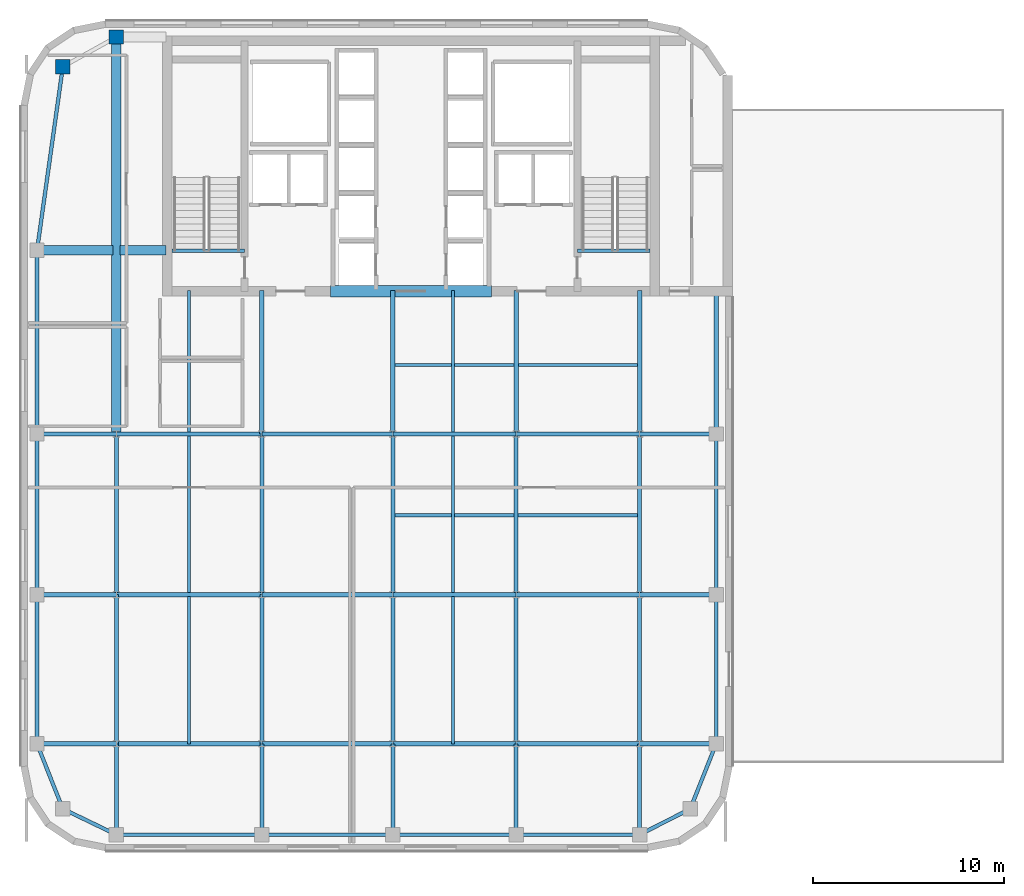
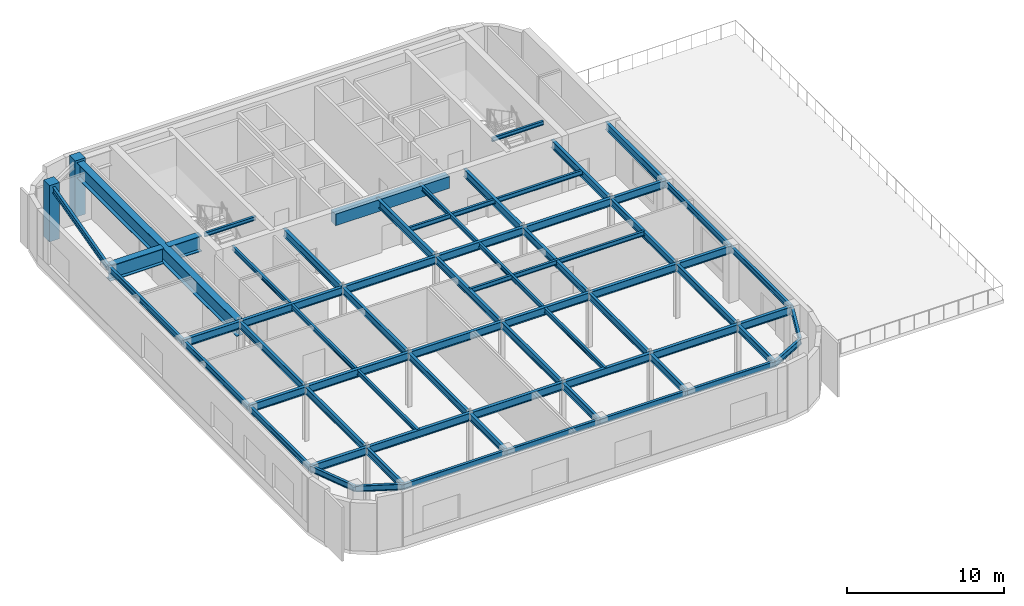
# One storey, part 2 of 10: 66 beams, 2 columns.
"""IFC4 building model written with IfcOpenShell, lengths in metres."""

from ifc_helpers import new_model, si_unit, direction, frame, origin, origin_2d, place, context, subcontext, project, spatial, rectangle, i_section, extrude, source, transform, mapped, material, material_profile, profile_set, type_object, type_shapes, element, save


model = new_model("IFC4")

# Units and contexts
model_context = context("Model", 3, precision=1e-05, world=origin(), true_north=direction((0.0, 1.0)))
body_context = subcontext(model_context, "Body", "Model", "MODEL_VIEW")
ifc_project = project(units=[si_unit("LENGTHUNIT", "METRE"), si_unit("AREAUNIT", "SQUARE_METRE"), si_unit("VOLUMEUNIT", "CUBIC_METRE"), si_unit("PLANEANGLEUNIT", "RADIAN"), si_unit("MASSUNIT", "GRAM", prefix="KILO")], contexts=[model_context])

# Site, building, storey
site_placement = place(None, origin())
site = spatial("IfcSite", under=ifc_project, at=site_placement, CompositionType="ELEMENT")
building_placement = place(site_placement, origin())
building = spatial("IfcBuilding", under=site, at=building_placement, Name="Tolvann Quenvar Hotel", CompositionType="ELEMENT")
storey_placement = place(building_placement, frame((0.0, 0.0, 205.300048828125)))
storey = spatial("IfcBuildingStorey", under=building, at=storey_placement, Name="L54", CompositionType="ELEMENT", Elevation=205.300048828125)

# Columns
ifc_material_1 = material(Name="Concrete N50 (50 MPa)", Category="concrete")
ifc_material_profile_1 = material_profile(ifc_material_1, rectangle(XDim=0.75, YDim=0.75, at=origin_2d()), Name="RC750x750")
ifc_profile_set_1 = profile_set([ifc_material_profile_1], Name="Concrete N50 (50 MPa)")
column_type = type_object("IfcColumnType", Name="COL_RC750", PredefinedType="COLUMN", material=ifc_profile_set_1)
shared_shape_1 = source(origin(), body_context, "Body", "SweptSolid", [
    extrude(rectangle(XDim=0.75, YDim=0.75, at=origin_2d()), origin(), (0.0, 0.0, 1.0), 4.39990234375),
])
type_shapes(column_type, [shared_shape_1])
for number, where, z_axis, x_axis, name in (
    (1, (4.800048828125, 43.60009765625, 0.0), (0.0, 0.0, 1.0), (1.0, 0.0, 0.0), "Column BN (L54)"),
    (2, (7.60009765625, 45.14990234375, 0.0), (0.0, 0.0, 1.0), (1.0, 0.0, 0.0), "Column CN (L54)"),
):
    element("IfcColumn", number, at=place(storey_placement, frame(where, z_axis=z_axis, x_axis=x_axis)), inside=storey, type_object=column_type, Name=name, PredefinedType="COLUMN", context=body_context, shape_type="MappedRepresentation", body=[
        mapped(shared_shape_1, transform((0.0, 0.0, 0.0), x_axis=(1.0, 0.0, 0.0), y_axis=(0.0, 1.0, 0.0), z_axis=(0.0, 0.0, 1.0), scale=1.0)),
    ])

# Beams
ifc_material_profile_2 = material_profile(ifc_material_1, rectangle(XDim=0.60009765625, YDim=0.89990234375, at=origin_2d()), Name="RC600x900")
ifc_profile_set_2 = profile_set([ifc_material_profile_2], Name="Concrete N50 (50 MPa)")
beam_type_1 = type_object("IfcBeamType", Name="BM_LINT_RC600x900", PredefinedType="LINTEL", material=ifc_profile_set_2)
shared_shape_2 = source(origin(), body_context, "Body", "SweptSolid", [
    extrude(rectangle(XDim=0.60009765625, YDim=0.89990234375, at=origin_2d()), origin(), (0.0, 0.0, 1.0), 8.39990234375),
])
type_shapes(beam_type_1, [shared_shape_2])
beam_1_placement = place(storey_placement, frame((18.800048828125, 31.85009765625, 3.77001953125), z_axis=(1.0, 0.0, 0.0), x_axis=(0.0, 1.0, 0.0)))
element("IfcBeam", 3, at=beam_1_placement, inside=storey, type_object=beam_type_1, Name="Core Coupling Lintel Beam (L54)", PredefinedType="LINTEL", context=body_context, shape_type="MappedRepresentation", body=[
    mapped(shared_shape_2, transform((0.0, 0.0, 0.0), x_axis=(1.0, 0.0, 0.0), y_axis=(0.0, 1.0, 0.0), z_axis=(0.0, 0.0, 1.0), scale=1.0)),
])
ifc_material_2 = material(Name="Steel Grade 350", Category="steel")
ifc_material_profile_3 = material_profile(ifc_material_2, i_section(OverallWidth=0.208984375, OverallDepth=0.532958984375, WebThickness=0.01025390625, FlangeThickness=0.015625, FilletRadius=0.013916015625, at=origin_2d()), Name="530UB92")
ifc_profile_set_3 = profile_set([ifc_material_profile_3], Name="Steel Grade 350")
beam_type_2 = type_object("IfcBeamType", Name="BM_GIRD_530UB92", PredefinedType="BEAM", material=ifc_profile_set_3)
shared_shape_3 = source(origin(), body_context, "Body", "SweptSolid", [
    extrude(i_section(OverallWidth=0.208984375, OverallDepth=0.532958984375, WebThickness=0.01025390625, FlangeThickness=0.015625, FilletRadius=0.013916015625, at=origin_2d()), origin(), (0.0, 0.0, 1.0), 7.800048828125),
])
for number, where, z_axis, x_axis, name in (
    (4, (7.60009765625, 8.199951171875, 3.953369140625), (0.0, 1.0, 0.0), (-1.0, 0.0, 0.0), "BM-L54-NS-C3-C4"),
    (5, (15.199951171875, 8.199951171875, 3.953369140625), (0.0, 1.0, 0.0), (-1.0, 0.0, 0.0), "BM-L54-NS-D3-D4"),
    (6, (22.050048828125, 8.199951171875, 3.953369140625), (0.0, 1.0, 0.0), (-1.0, 0.0, 0.0), "BM-L54-NS-E3-E4"),
    (7, (34.949951171875, 8.199951171875, 3.953369140625), (0.0, 1.0, 0.0), (-1.0, 0.0, 0.0), "BM-L54-NS-F3-F4"),
    (8, (28.5, 8.199951171875, 3.953369140625), (0.0, 1.0, 0.0), (-1.0, 0.0, 0.0), "BM-L54-NS-M3-M4"),
):
    element("IfcBeam", number, at=place(storey_placement, frame(where, z_axis=z_axis, x_axis=x_axis)), inside=storey, type_object=beam_type_2, Name=name, PredefinedType="BEAM", context=body_context, shape_type="MappedRepresentation", body=[
        mapped(shared_shape_3, transform((0.0, 0.0, 0.0), x_axis=(1.0, 0.0, 0.0), y_axis=(0.0, 1.0, 0.0), z_axis=(0.0, 0.0, 1.0), scale=1.0)),
    ])
shared_shape_4 = source(origin(), body_context, "Body", "SweptSolid", [
    extrude(i_section(OverallWidth=0.208984375, OverallDepth=0.532958984375, WebThickness=0.01025390625, FlangeThickness=0.015625, FilletRadius=0.013916015625, at=origin_2d()), origin(), (0.0, 0.0, 1.0), 8.39990234375),
])
for number, where, z_axis, x_axis, name in (
    (9, (7.60009765625, 16.0, 3.953369140625), (0.0, 1.0, 0.0), (-1.0, 0.0, 0.0), "BM-L54-NS-C4-C5"),
    (10, (15.199951171875, 16.0, 3.953369140625), (0.0, 1.0, 0.0), (-1.0, 0.0, 0.0), "BM-L54-NS-D4-D5"),
    (11, (22.050048828125, 16.0, 3.953369140625), (0.0, 1.0, 0.0), (-1.0, 0.0, 0.0), "BM-L54-NS-E4-E5"),
    (12, (34.949951171875, 16.0, 3.953369140625), (0.0, 1.0, 0.0), (-1.0, 0.0, 0.0), "BM-L54-NS-F4-F5"),
    (13, (28.5, 16.0, 3.953369140625), (0.0, 1.0, 0.0), (-1.0, 0.0, 0.0), "BM-L54-NS-M4-M5"),
):
    element("IfcBeam", number, at=place(storey_placement, frame(where, z_axis=z_axis, x_axis=x_axis)), inside=storey, type_object=beam_type_2, Name=name, PredefinedType="BEAM", context=body_context, shape_type="MappedRepresentation", body=[
        mapped(shared_shape_4, transform((0.0, 0.0, 0.0), x_axis=(1.0, 0.0, 0.0), y_axis=(0.0, 1.0, 0.0), z_axis=(0.0, 0.0, 1.0), scale=1.0)),
    ])
ifc_material_profile_4 = material_profile(ifc_material_2, i_section(OverallWidth=0.5, OverallDepth=1.199951171875, WebThickness=0.01611328125, FlangeThickness=0.0400390625, at=origin_2d()), Name="1200WB455")
ifc_profile_set_4 = profile_set([ifc_material_profile_4], Name="Steel Grade 350")
beam_type_3 = type_object("IfcBeamType", Name="BM_TG_1200WB455", PredefinedType="USERDEFINED", material=ifc_profile_set_4)
shared_shape_5 = source(origin(), body_context, "Body", "SweptSolid", [
    extrude(i_section(OverallWidth=0.5, OverallDepth=1.199951171875, WebThickness=0.01611328125, FlangeThickness=0.0400390625, at=origin_2d()), origin(), (0.0, 0.0, 1.0), 20.75),
])
beam_2_placement = place(storey_placement, frame((7.60009765625, 24.39990234375, 3.619873046875), z_axis=(0.0, 1.0, 0.0), x_axis=(-1.0, 0.0, 0.0)))
element("IfcBeam", 14, at=beam_2_placement, inside=storey, type_object=beam_type_3, Name="BM-L54-FLK-WC", ObjectType="TRANSFER GIRDER", PredefinedType="USERDEFINED", context=body_context, shape_type="MappedRepresentation", body=[
    mapped(shared_shape_5, transform((0.0, 0.0, 0.0), x_axis=(1.0, 0.0, 0.0), y_axis=(0.0, 1.0, 0.0), z_axis=(0.0, 0.0, 1.0), scale=1.0)),
])
shared_shape_6 = source(origin(), body_context, "Body", "SweptSolid", [
    extrude(i_section(OverallWidth=0.5, OverallDepth=1.199951171875, WebThickness=0.01611328125, FlangeThickness=0.0400390625, at=origin_2d()), origin(), (0.0, 0.0, 1.0), 2.419921875),
])
beam_3_placement = place(storey_placement, frame((7.780029296875, 34.0, 3.619873046875), z_axis=(1.0, 0.0, 0.0), x_axis=(0.0, 1.0, 0.0)))
element("IfcBeam", 15, at=beam_3_placement, inside=storey, type_object=beam_type_3, Name="BM-L54-CTW-MID2", ObjectType="TRANSFER GIRDER", PredefinedType="USERDEFINED", context=body_context, shape_type="MappedRepresentation", body=[
    mapped(shared_shape_6, transform((0.0, 0.0, 0.0), x_axis=(1.0, 0.0, 0.0), y_axis=(0.0, 1.0, 0.0), z_axis=(0.0, 0.0, 1.0), scale=1.0)),
])
ifc_material_profile_5 = material_profile(ifc_material_2, i_section(OverallWidth=0.166015625, OverallDepth=0.306884765625, WebThickness=0.006591796875, FlangeThickness=0.01171875, FilletRadius=0.011474609375, at=origin_2d()), Name="310UB46")
ifc_profile_set_5 = profile_set([ifc_material_profile_5], Name="Steel Grade 350")
beam_type_4 = type_object("IfcBeamType", Name="BM_JOIST_310UB46", PredefinedType="JOIST", material=ifc_profile_set_5)
shared_shape_7 = source(origin(), body_context, "Body", "SweptSolid", [
    extrude(i_section(OverallWidth=0.166015625, OverallDepth=0.306884765625, WebThickness=0.006591796875, FlangeThickness=0.01171875, FilletRadius=0.011474609375, at=origin_2d()), origin(), (0.0, 0.0, 1.0), 3.800048828125),
])
type_shapes(beam_type_4, [shared_shape_7])
for number, where, z_axis, x_axis, name in (
    (16, (10.5, 33.97998046875, 4.06640625), (1.0, 0.0, 0.0), (0.0, 1.0, 0.0), "BM-HDR-STC1-L55"),
    (17, (31.699951171875, 33.97998046875, 4.06640625), (1.0, 0.0, 0.0), (0.0, 1.0, 0.0), "BM-HDR-STC2-L55"),
):
    element("IfcBeam", number, at=place(storey_placement, frame(where, z_axis=z_axis, x_axis=x_axis)), inside=storey, type_object=beam_type_4, Name=name, PredefinedType="JOIST", context=body_context, shape_type="MappedRepresentation", body=[
        mapped(shared_shape_7, transform((0.0, 0.0, 0.0), x_axis=(1.0, 0.0, 0.0), y_axis=(0.0, 1.0, 0.0), z_axis=(0.0, 0.0, 1.0), scale=1.0)),
    ])
shared_shape_8 = source(origin(), body_context, "Body", "SweptSolid", [
    extrude(i_section(OverallWidth=0.5, OverallDepth=1.199951171875, WebThickness=0.01611328125, FlangeThickness=0.0400390625, at=origin_2d()), origin(), (0.0, 0.0, 1.0), 3.969970703125),
])
type_shapes(beam_type_3, [shared_shape_5, shared_shape_6, shared_shape_8])
beam_4_placement = place(storey_placement, frame((3.449951171875, 34.0, 3.619873046875), z_axis=(1.0, 0.0, 0.0), x_axis=(0.0, 1.0, 0.0)))
element("IfcBeam", 18, at=beam_4_placement, inside=storey, type_object=beam_type_3, Name="BM-L54-CTW-MID1", ObjectType="TRANSFER GIRDER", PredefinedType="USERDEFINED", context=body_context, shape_type="MappedRepresentation", body=[
    mapped(shared_shape_8, transform((0.0, 0.0, 0.0), x_axis=(1.0, 0.0, 0.0), y_axis=(0.0, 1.0, 0.0), z_axis=(0.0, 0.0, 1.0), scale=1.0)),
])
ifc_material_profile_6 = material_profile(ifc_material_2, i_section(OverallWidth=0.172119140625, OverallDepth=0.35888671875, WebThickness=0.008056640625, FlangeThickness=0.012939453125, FilletRadius=0.011474609375, at=origin_2d()), Name="360UB57")
ifc_profile_set_6 = profile_set([ifc_material_profile_6], Name="Steel Grade 350")
beam_type_5 = type_object("IfcBeamType", Name="BM_JOIST_360UB57", PredefinedType="JOIST", material=ifc_profile_set_6)
shared_shape_9 = source(origin(), body_context, "Body", "SweptSolid", [
    extrude(i_section(OverallWidth=0.172119140625, OverallDepth=0.35888671875, WebThickness=0.008056640625, FlangeThickness=0.012939453125, FilletRadius=0.011474609375, at=origin_2d()), origin(), (0.0, 0.0, 1.0), 12.89990234375),
])
for number, where, z_axis, x_axis, name in (
    (19, (22.050048828125, 20.14990234375, 4.04052734375), (1.0, 0.0, 0.0), (0.0, 1.0, 0.0), "BM-L54-SPINE-20"),
    (20, (22.050048828125, 28.0, 4.04052734375), (1.0, 0.0, 0.0), (0.0, 1.0, 0.0), "BM-L54-SPINE-28"),
):
    element("IfcBeam", number, at=place(storey_placement, frame(where, z_axis=z_axis, x_axis=x_axis)), inside=storey, type_object=beam_type_5, Name=name, PredefinedType="JOIST", context=body_context, shape_type="MappedRepresentation", body=[
        mapped(shared_shape_9, transform((0.0, 0.0, 0.0), x_axis=(1.0, 0.0, 0.0), y_axis=(0.0, 1.0, 0.0), z_axis=(0.0, 0.0, 1.0), scale=1.0)),
    ])
ifc_material_profile_7 = material_profile(ifc_material_2, i_section(OverallWidth=0.22802734375, OverallDepth=0.60205078125, WebThickness=0.010498046875, FlangeThickness=0.014892578125, FilletRadius=0.013916015625, at=origin_2d()), Name="610UB101")
ifc_profile_set_7 = profile_set([ifc_material_profile_7], Name="Steel Grade 350")
beam_type_6 = type_object("IfcBeamType", Name="BM_GIRD_610UB101", PredefinedType="BEAM", material=ifc_profile_set_7)
shared_shape_10 = source(origin(), body_context, "Body", "SweptSolid", [
    extrude(i_section(OverallWidth=0.22802734375, OverallDepth=0.60205078125, WebThickness=0.010498046875, FlangeThickness=0.014892578125, FilletRadius=0.013916015625, at=origin_2d()), origin(), (0.0, 0.0, 1.0), 4.150146484375),
])
for number, where, z_axis, x_axis, name in (
    (21, (3.449951171875, 8.199951171875, 3.9189453125), (1.0, 0.0, 0.0), (0.0, 1.0, 0.0), "BM-L54-EW-3-B3-C3"),
    (22, (3.449951171875, 16.0, 3.9189453125), (1.0, 0.0, 0.0), (0.0, 1.0, 0.0), "BM-L54-EW-4-B4-C4"),
    (23, (3.449951171875, 24.39990234375, 3.9189453125), (1.0, 0.0, 0.0), (0.0, 1.0, 0.0), "BM-L54-EW-5-B5-C5"),
):
    element("IfcBeam", number, at=place(storey_placement, frame(where, z_axis=z_axis, x_axis=x_axis)), inside=storey, type_object=beam_type_6, Name=name, PredefinedType="BEAM", context=body_context, shape_type="MappedRepresentation", body=[
        mapped(shared_shape_10, transform((0.0, 0.0, 0.0), x_axis=(1.0, 0.0, 0.0), y_axis=(0.0, 1.0, 0.0), z_axis=(0.0, 0.0, 1.0), scale=1.0)),
    ])
shared_shape_11 = source(origin(), body_context, "Body", "SweptSolid", [
    extrude(i_section(OverallWidth=0.22802734375, OverallDepth=0.60205078125, WebThickness=0.010498046875, FlangeThickness=0.014892578125, FilletRadius=0.013916015625, at=origin_2d()), origin(), (0.0, 0.0, 1.0), 7.599853515625),
])
for number, where, z_axis, x_axis, name in (
    (24, (7.60009765625, 8.199951171875, 3.9189453125), (1.0, 0.0, 0.0), (0.0, 1.0, 0.0), "BM-L54-EW-3-C3-D3"),
    (25, (7.60009765625, 16.0, 3.9189453125), (1.0, 0.0, 0.0), (0.0, 1.0, 0.0), "BM-L54-EW-4-C4-D4"),
    (26, (7.60009765625, 24.39990234375, 3.9189453125), (1.0, 0.0, 0.0), (0.0, 1.0, 0.0), "BM-L54-EW-5-C5-D5"),
):
    element("IfcBeam", number, at=place(storey_placement, frame(where, z_axis=z_axis, x_axis=x_axis)), inside=storey, type_object=beam_type_6, Name=name, PredefinedType="BEAM", context=body_context, shape_type="MappedRepresentation", body=[
        mapped(shared_shape_11, transform((0.0, 0.0, 0.0), x_axis=(1.0, 0.0, 0.0), y_axis=(0.0, 1.0, 0.0), z_axis=(0.0, 0.0, 1.0), scale=1.0)),
    ])
shared_shape_12 = source(origin(), body_context, "Body", "SweptSolid", [
    extrude(i_section(OverallWidth=0.22802734375, OverallDepth=0.60205078125, WebThickness=0.010498046875, FlangeThickness=0.014892578125, FilletRadius=0.013916015625, at=origin_2d()), origin(), (0.0, 0.0, 1.0), 6.85009765625),
])
for number, where, z_axis, x_axis, name in (
    (27, (15.199951171875, 8.199951171875, 3.9189453125), (1.0, 0.0, 0.0), (0.0, 1.0, 0.0), "BM-L54-EW-3-D3-E3"),
    (28, (15.199951171875, 16.0, 3.9189453125), (1.0, 0.0, 0.0), (0.0, 1.0, 0.0), "BM-L54-EW-4-D4-E4"),
    (29, (15.199951171875, 24.39990234375, 3.9189453125), (1.0, 0.0, 0.0), (0.0, 1.0, 0.0), "BM-L54-EW-5-D5-E5"),
):
    element("IfcBeam", number, at=place(storey_placement, frame(where, z_axis=z_axis, x_axis=x_axis)), inside=storey, type_object=beam_type_6, Name=name, PredefinedType="BEAM", context=body_context, shape_type="MappedRepresentation", body=[
        mapped(shared_shape_12, transform((0.0, 0.0, 0.0), x_axis=(1.0, 0.0, 0.0), y_axis=(0.0, 1.0, 0.0), z_axis=(0.0, 0.0, 1.0), scale=1.0)),
    ])
shared_shape_13 = source(origin(), body_context, "Body", "SweptSolid", [
    extrude(i_section(OverallWidth=0.22802734375, OverallDepth=0.60205078125, WebThickness=0.010498046875, FlangeThickness=0.014892578125, FilletRadius=0.013916015625, at=origin_2d()), origin(), (0.0, 0.0, 1.0), 6.449951171875),
])
for number, where, z_axis, x_axis, name in (
    (30, (22.050048828125, 8.199951171875, 3.9189453125), (1.0, 0.0, 0.0), (0.0, 1.0, 0.0), "BM-L54-EW-3-E3-M3"),
    (31, (28.5, 8.199951171875, 3.9189453125), (1.0, 0.0, 0.0), (0.0, 1.0, 0.0), "BM-L54-EW-3-M3-F3"),
    (32, (22.050048828125, 16.0, 3.9189453125), (1.0, 0.0, 0.0), (0.0, 1.0, 0.0), "BM-L54-EW-4-E4-M4"),
    (33, (28.5, 16.0, 3.9189453125), (1.0, 0.0, 0.0), (0.0, 1.0, 0.0), "BM-L54-EW-4-M4-F4"),
    (34, (22.050048828125, 24.39990234375, 3.9189453125), (1.0, 0.0, 0.0), (0.0, 1.0, 0.0), "BM-L54-EW-5-E5-M5"),
    (35, (28.5, 24.39990234375, 3.9189453125), (1.0, 0.0, 0.0), (0.0, 1.0, 0.0), "BM-L54-EW-5-M5-F5"),
):
    element("IfcBeam", number, at=place(storey_placement, frame(where, z_axis=z_axis, x_axis=x_axis)), inside=storey, type_object=beam_type_6, Name=name, PredefinedType="BEAM", context=body_context, shape_type="MappedRepresentation", body=[
        mapped(shared_shape_13, transform((0.0, 0.0, 0.0), x_axis=(1.0, 0.0, 0.0), y_axis=(0.0, 1.0, 0.0), z_axis=(0.0, 0.0, 1.0), scale=1.0)),
    ])
shared_shape_14 = source(origin(), body_context, "Body", "SweptSolid", [
    extrude(i_section(OverallWidth=0.208984375, OverallDepth=0.532958984375, WebThickness=0.01025390625, FlangeThickness=0.015625, FilletRadius=0.013916015625, at=origin_2d()), origin(), (0.0, 0.0, 1.0), 4.75),
])
type_shapes(beam_type_2, [shared_shape_3, shared_shape_4, shared_shape_14])
for number, where, z_axis, x_axis, name in (
    (36, (7.60009765625, 3.449951171875, 3.953369140625), (0.0, 1.0, 0.0), (-1.0, 0.0, 0.0), "BM-L54-NS-C2-C3"),
    (37, (15.199951171875, 3.449951171875, 3.953369140625), (0.0, 1.0, 0.0), (-1.0, 0.0, 0.0), "BM-L54-NS-D2-D3"),
    (38, (22.050048828125, 3.449951171875, 3.953369140625), (0.0, 1.0, 0.0), (-1.0, 0.0, 0.0), "BM-L54-NS-E2-E3"),
    (39, (34.949951171875, 3.449951171875, 3.953369140625), (0.0, 1.0, 0.0), (-1.0, 0.0, 0.0), "BM-L54-NS-F2-F3"),
    (40, (28.5, 3.449951171875, 3.953369140625), (0.0, 1.0, 0.0), (-1.0, 0.0, 0.0), "BM-L54-NS-M2-M3"),
):
    element("IfcBeam", number, at=place(storey_placement, frame(where, z_axis=z_axis, x_axis=x_axis)), inside=storey, type_object=beam_type_2, Name=name, PredefinedType="BEAM", context=body_context, shape_type="MappedRepresentation", body=[
        mapped(shared_shape_14, transform((0.0, 0.0, 0.0), x_axis=(1.0, 0.0, 0.0), y_axis=(0.0, 1.0, 0.0), z_axis=(0.0, 0.0, 1.0), scale=1.0)),
    ])
shared_shape_15 = source(origin(), body_context, "Body", "SweptSolid", [
    extrude(i_section(OverallWidth=0.22802734375, OverallDepth=0.60205078125, WebThickness=0.010498046875, FlangeThickness=0.014892578125, FilletRadius=0.013916015625, at=origin_2d()), origin(), (0.0, 0.0, 1.0), 7.5),
])
for number, where, z_axis, x_axis, name in (
    (41, (15.199951171875, 24.39990234375, 3.9189453125), (0.0, 1.0, 0.0), (-1.0, 0.0, 0.0), "BM-L54-CORE-D5"),
    (42, (22.050048828125, 24.39990234375, 3.9189453125), (0.0, 1.0, 0.0), (-1.0, 0.0, 0.0), "BM-L54-CORE-E5"),
    (43, (34.949951171875, 24.39990234375, 3.9189453125), (0.0, 1.0, 0.0), (-1.0, 0.0, 0.0), "BM-L54-CORE-F5"),
    (44, (38.949951171875, 24.39990234375, 3.9189453125), (0.0, 1.0, 0.0), (-1.0, 0.0, 0.0), "BM-L54-CORE-G5"),
    (45, (28.5, 24.39990234375, 3.9189453125), (0.0, 1.0, 0.0), (-1.0, 0.0, 0.0), "BM-L54-CORE-M5"),
):
    element("IfcBeam", number, at=place(storey_placement, frame(where, z_axis=z_axis, x_axis=x_axis)), inside=storey, type_object=beam_type_6, Name=name, PredefinedType="BEAM", context=body_context, shape_type="MappedRepresentation", body=[
        mapped(shared_shape_15, transform((0.0, 0.0, 0.0), x_axis=(1.0, 0.0, 0.0), y_axis=(0.0, 1.0, 0.0), z_axis=(0.0, 0.0, 1.0), scale=1.0)),
    ])
shared_shape_16 = source(origin(), body_context, "Body", "SweptSolid", [
    extrude(i_section(OverallWidth=0.172119140625, OverallDepth=0.35888671875, WebThickness=0.008056640625, FlangeThickness=0.012939453125, FilletRadius=0.011474609375, at=origin_2d()), origin(), (0.0, 0.0, 1.0), 7.692138671875),
])
for number, where, z_axis, x_axis, name in (
    (46, (11.39990234375, 8.199951171875, 4.04052734375), (0.0, 1.0, 0.0), (-1.0, 0.0, 0.0), "BJ-L54-114-82"),
    (47, (25.199951171875, 8.199951171875, 4.04052734375), (0.0, 1.0, 0.0), (-1.0, 0.0, 0.0), "BJ-L54-252-82"),
):
    element("IfcBeam", number, at=place(storey_placement, frame(where, z_axis=z_axis, x_axis=x_axis)), inside=storey, type_object=beam_type_5, Name=name, PredefinedType="JOIST", context=body_context, shape_type="MappedRepresentation", body=[
        mapped(shared_shape_16, transform((0.0, 0.0, 0.0), x_axis=(1.0, 0.0, 0.0), y_axis=(0.0, 1.0, 0.0), z_axis=(0.0, 0.0, 1.0), scale=1.0)),
    ])
shared_shape_17 = source(origin(), body_context, "Body", "SweptSolid", [
    extrude(i_section(OverallWidth=0.172119140625, OverallDepth=0.35888671875, WebThickness=0.008056640625, FlangeThickness=0.012939453125, FilletRadius=0.011474609375, at=origin_2d()), origin(), (0.0, 0.0, 1.0), 8.18408203125),
])
for number, where, z_axis, x_axis, name in (
    (48, (11.39990234375, 16.10791015625, 4.04052734375), (0.0, 1.0, 0.0), (-1.0, 0.0, 0.0), "BJ-L54-114-160"),
    (49, (25.199951171875, 16.10791015625, 4.04052734375), (0.0, 1.0, 0.0), (-1.0, 0.0, 0.0), "BJ-L54-252-160"),
):
    element("IfcBeam", number, at=place(storey_placement, frame(where, z_axis=z_axis, x_axis=x_axis)), inside=storey, type_object=beam_type_5, Name=name, PredefinedType="JOIST", context=body_context, shape_type="MappedRepresentation", body=[
        mapped(shared_shape_17, transform((0.0, 0.0, 0.0), x_axis=(1.0, 0.0, 0.0), y_axis=(0.0, 1.0, 0.0), z_axis=(0.0, 0.0, 1.0), scale=1.0)),
    ])
shared_shape_18 = source(origin(), body_context, "Body", "SweptSolid", [
    extrude(i_section(OverallWidth=0.172119140625, OverallDepth=0.35888671875, WebThickness=0.008056640625, FlangeThickness=0.012939453125, FilletRadius=0.011474609375, at=origin_2d()), origin(), (0.0, 0.0, 1.0), 7.391845703125),
])
type_shapes(beam_type_5, [shared_shape_9, shared_shape_16, shared_shape_17, shared_shape_18])
for number, where, z_axis, x_axis, name in (
    (50, (11.39990234375, 24.508056640625, 4.04052734375), (0.0, 1.0, 0.0), (-1.0, 0.0, 0.0), "BJ-L54-114-244"),
    (51, (25.199951171875, 24.508056640625, 4.04052734375), (0.0, 1.0, 0.0), (-1.0, 0.0, 0.0), "BJ-L54-252-244"),
):
    element("IfcBeam", number, at=place(storey_placement, frame(where, z_axis=z_axis, x_axis=x_axis)), inside=storey, type_object=beam_type_5, Name=name, PredefinedType="JOIST", context=body_context, shape_type="MappedRepresentation", body=[
        mapped(shared_shape_18, transform((0.0, 0.0, 0.0), x_axis=(1.0, 0.0, 0.0), y_axis=(0.0, 1.0, 0.0), z_axis=(0.0, 0.0, 1.0), scale=1.0)),
    ])
ifc_material_profile_8 = material_profile(ifc_material_2, i_section(OverallWidth=0.19091796875, OverallDepth=0.4599609375, WebThickness=0.010009765625, FlangeThickness=0.01611328125, FilletRadius=0.011474609375, at=origin_2d()), Name="460UB82")
ifc_profile_set_8 = profile_set([ifc_material_profile_8], Name="Steel Grade 350")
beam_type_7 = type_object("IfcBeamType", Name="BM_SPAND_460UB82", PredefinedType="SPANDREL", material=ifc_profile_set_8)
shared_shape_19 = source(origin(), body_context, "Body", "SweptSolid", [
    extrude(i_section(OverallWidth=0.19091796875, OverallDepth=0.4599609375, WebThickness=0.010009765625, FlangeThickness=0.01611328125, FilletRadius=0.011474609375, at=origin_2d()), origin(), (0.0, 0.0, 1.0), 3.108642578125),
])
beam_5_placement = place(storey_placement, frame((4.800048828125, 4.800048828125, 3.989990234375), z_axis=(0.900759354066, -0.434318530646, 0.0), x_axis=(0.434318530646, 0.900759354066, 0.0)))
element("IfcBeam", 52, at=beam_5_placement, inside=storey, type_object=beam_type_7, Name="BM-L54-EW-2-B2-C2", PredefinedType="SPANDREL", context=body_context, shape_type="MappedRepresentation", body=[
    mapped(shared_shape_19, transform((0.0, 0.0, 0.0), x_axis=(1.0, 0.0, 0.0), y_axis=(0.0, 1.0, 0.0), z_axis=(0.0, 0.0, 1.0), scale=1.0)),
])
shared_shape_20 = source(origin(), body_context, "Body", "SweptSolid", [
    extrude(i_section(OverallWidth=0.19091796875, OverallDepth=0.4599609375, WebThickness=0.010009765625, FlangeThickness=0.01611328125, FilletRadius=0.011474609375, at=origin_2d()), origin(), (0.0, 0.0, 1.0), 7.599853515625),
])
beam_6_placement = place(storey_placement, frame((7.60009765625, 3.449951171875, 3.989990234375), z_axis=(1.0, 0.0, 0.0), x_axis=(0.0, 1.0, 0.0)))
element("IfcBeam", 53, at=beam_6_placement, inside=storey, type_object=beam_type_7, Name="BM-L54-EW-2-C2-D2", PredefinedType="SPANDREL", context=body_context, shape_type="MappedRepresentation", body=[
    mapped(shared_shape_20, transform((0.0, 0.0, 0.0), x_axis=(1.0, 0.0, 0.0), y_axis=(0.0, 1.0, 0.0), z_axis=(0.0, 0.0, 1.0), scale=1.0)),
])
shared_shape_21 = source(origin(), body_context, "Body", "SweptSolid", [
    extrude(i_section(OverallWidth=0.19091796875, OverallDepth=0.4599609375, WebThickness=0.010009765625, FlangeThickness=0.01611328125, FilletRadius=0.011474609375, at=origin_2d()), origin(), (0.0, 0.0, 1.0), 6.85009765625),
])
beam_7_placement = place(storey_placement, frame((15.199951171875, 3.449951171875, 3.989990234375), z_axis=(1.0, 0.0, 0.0), x_axis=(0.0, 1.0, 0.0)))
element("IfcBeam", 54, at=beam_7_placement, inside=storey, type_object=beam_type_7, Name="BM-L54-EW-2-D2-E2", PredefinedType="SPANDREL", context=body_context, shape_type="MappedRepresentation", body=[
    mapped(shared_shape_21, transform((0.0, 0.0, 0.0), x_axis=(1.0, 0.0, 0.0), y_axis=(0.0, 1.0, 0.0), z_axis=(0.0, 0.0, 1.0), scale=1.0)),
])
shared_shape_22 = source(origin(), body_context, "Body", "SweptSolid", [
    extrude(i_section(OverallWidth=0.19091796875, OverallDepth=0.4599609375, WebThickness=0.010009765625, FlangeThickness=0.01611328125, FilletRadius=0.011474609375, at=origin_2d()), origin(), (0.0, 0.0, 1.0), 6.449951171875),
])
for number, where, z_axis, x_axis, name in (
    (55, (22.050048828125, 3.449951171875, 3.989990234375), (1.0, 0.0, 0.0), (0.0, 1.0, 0.0), "BM-L54-EW-2-E2-M2"),
    (56, (28.5, 3.449951171875, 3.989990234375), (1.0, 0.0, 0.0), (0.0, 1.0, 0.0), "BM-L54-EW-2-M2-F2"),
):
    element("IfcBeam", number, at=place(storey_placement, frame(where, z_axis=z_axis, x_axis=x_axis)), inside=storey, type_object=beam_type_7, Name=name, PredefinedType="SPANDREL", context=body_context, shape_type="MappedRepresentation", body=[
        mapped(shared_shape_22, transform((0.0, 0.0, 0.0), x_axis=(1.0, 0.0, 0.0), y_axis=(0.0, 1.0, 0.0), z_axis=(0.0, 0.0, 1.0), scale=1.0)),
    ])
shared_shape_23 = source(origin(), body_context, "Body", "SweptSolid", [
    extrude(i_section(OverallWidth=0.19091796875, OverallDepth=0.4599609375, WebThickness=0.010009765625, FlangeThickness=0.01611328125, FilletRadius=0.011474609375, at=origin_2d()), origin(), (0.0, 0.0, 1.0), 2.97412109375),
])
beam_8_placement = place(storey_placement, frame((34.949951171875, 3.449951171875, 3.989990234375), z_axis=(0.891036364695, 0.453931929688, 0.0), x_axis=(-0.453931929688, 0.891036364695, 0.0)))
element("IfcBeam", 57, at=beam_8_placement, inside=storey, type_object=beam_type_7, Name="BM-L54-EW-2-F2-G2", PredefinedType="SPANDREL", context=body_context, shape_type="MappedRepresentation", body=[
    mapped(shared_shape_23, transform((0.0, 0.0, 0.0), x_axis=(1.0, 0.0, 0.0), y_axis=(0.0, 1.0, 0.0), z_axis=(0.0, 0.0, 1.0), scale=1.0)),
])
shared_shape_24 = source(origin(), body_context, "Body", "SweptSolid", [
    extrude(i_section(OverallWidth=0.22802734375, OverallDepth=0.60205078125, WebThickness=0.010498046875, FlangeThickness=0.014892578125, FilletRadius=0.013916015625, at=origin_2d()), origin(), (0.0, 0.0, 1.0), 4.0),
])
type_shapes(beam_type_6, [shared_shape_10, shared_shape_11, shared_shape_12, shared_shape_13, shared_shape_15, shared_shape_24])
for number, where, z_axis, x_axis, name in (
    (58, (34.949951171875, 8.199951171875, 3.9189453125), (1.0, 0.0, 0.0), (0.0, 1.0, 0.0), "BM-L54-EW-3-F3-G3"),
    (59, (34.949951171875, 16.0, 3.9189453125), (1.0, 0.0, 0.0), (0.0, 1.0, 0.0), "BM-L54-EW-4-F4-G4"),
    (60, (34.949951171875, 24.39990234375, 3.9189453125), (1.0, 0.0, 0.0), (0.0, 1.0, 0.0), "BM-L54-EW-5-F5-G5"),
):
    element("IfcBeam", number, at=place(storey_placement, frame(where, z_axis=z_axis, x_axis=x_axis)), inside=storey, type_object=beam_type_6, Name=name, PredefinedType="BEAM", context=body_context, shape_type="MappedRepresentation", body=[
        mapped(shared_shape_24, transform((0.0, 0.0, 0.0), x_axis=(1.0, 0.0, 0.0), y_axis=(0.0, 1.0, 0.0), z_axis=(0.0, 0.0, 1.0), scale=1.0)),
    ])
shared_shape_25 = source(origin(), body_context, "Body", "SweptSolid", [
    extrude(i_section(OverallWidth=0.19091796875, OverallDepth=0.4599609375, WebThickness=0.010009765625, FlangeThickness=0.01611328125, FilletRadius=0.011474609375, at=origin_2d()), origin(), (0.0, 0.0, 1.0), 3.658203125),
])
beam_9_placement = place(storey_placement, frame((4.800048828125, 4.800048828125, 3.989990234375), z_axis=(-0.369065163807, 0.929403521009, 0.0), x_axis=(-0.929403521009, -0.369065163807, 0.0)))
element("IfcBeam", 61, at=beam_9_placement, inside=storey, type_object=beam_type_7, Name="BM-L54-NS-B2-B3", PredefinedType="SPANDREL", context=body_context, shape_type="MappedRepresentation", body=[
    mapped(shared_shape_25, transform((0.0, 0.0, 0.0), x_axis=(1.0, 0.0, 0.0), y_axis=(0.0, 1.0, 0.0), z_axis=(0.0, 0.0, 1.0), scale=1.0)),
])
shared_shape_26 = source(origin(), body_context, "Body", "SweptSolid", [
    extrude(i_section(OverallWidth=0.19091796875, OverallDepth=0.4599609375, WebThickness=0.010009765625, FlangeThickness=0.01611328125, FilletRadius=0.011474609375, at=origin_2d()), origin(), (0.0, 0.0, 1.0), 7.800048828125),
])
for number, where, z_axis, x_axis, name in (
    (62, (3.449951171875, 8.199951171875, 3.989990234375), (0.0, 1.0, 0.0), (-1.0, 0.0, 0.0), "BM-L54-NS-B3-B4"),
    (63, (38.949951171875, 8.199951171875, 3.989990234375), (0.0, 1.0, 0.0), (-1.0, 0.0, 0.0), "BM-L54-NS-G3-G4"),
):
    element("IfcBeam", number, at=place(storey_placement, frame(where, z_axis=z_axis, x_axis=x_axis)), inside=storey, type_object=beam_type_7, Name=name, PredefinedType="SPANDREL", context=body_context, shape_type="MappedRepresentation", body=[
        mapped(shared_shape_26, transform((0.0, 0.0, 0.0), x_axis=(1.0, 0.0, 0.0), y_axis=(0.0, 1.0, 0.0), z_axis=(0.0, 0.0, 1.0), scale=1.0)),
    ])
shared_shape_27 = source(origin(), body_context, "Body", "SweptSolid", [
    extrude(i_section(OverallWidth=0.19091796875, OverallDepth=0.4599609375, WebThickness=0.010009765625, FlangeThickness=0.01611328125, FilletRadius=0.011474609375, at=origin_2d()), origin(), (0.0, 0.0, 1.0), 8.39990234375),
])
for number, where, z_axis, x_axis, name in (
    (64, (3.449951171875, 16.0, 3.989990234375), (0.0, 1.0, 0.0), (-1.0, 0.0, 0.0), "BM-L54-NS-B4-B5"),
    (65, (38.949951171875, 16.0, 3.989990234375), (0.0, 1.0, 0.0), (-1.0, 0.0, 0.0), "BM-L54-NS-G4-G5"),
):
    element("IfcBeam", number, at=place(storey_placement, frame(where, z_axis=z_axis, x_axis=x_axis)), inside=storey, type_object=beam_type_7, Name=name, PredefinedType="SPANDREL", context=body_context, shape_type="MappedRepresentation", body=[
        mapped(shared_shape_27, transform((0.0, 0.0, 0.0), x_axis=(1.0, 0.0, 0.0), y_axis=(0.0, 1.0, 0.0), z_axis=(0.0, 0.0, 1.0), scale=1.0)),
    ])
shared_shape_28 = source(origin(), body_context, "Body", "SweptSolid", [
    extrude(i_section(OverallWidth=0.19091796875, OverallDepth=0.4599609375, WebThickness=0.010009765625, FlangeThickness=0.01611328125, FilletRadius=0.011474609375, at=origin_2d()), origin(), (0.0, 0.0, 1.0), 3.657958984375),
])
beam_10_placement = place(storey_placement, frame((37.60009765625, 4.800048828125, 3.989990234375), z_axis=(0.369007513371, 0.929426411867, 0.0), x_axis=(-0.929426411867, 0.369007513371, 0.0)))
element("IfcBeam", 66, at=beam_10_placement, inside=storey, type_object=beam_type_7, Name="BM-L54-NS-G2-G3", PredefinedType="SPANDREL", context=body_context, shape_type="MappedRepresentation", body=[
    mapped(shared_shape_28, transform((0.0, 0.0, 0.0), x_axis=(1.0, 0.0, 0.0), y_axis=(0.0, 1.0, 0.0), z_axis=(0.0, 0.0, 1.0), scale=1.0)),
])
shared_shape_29 = source(origin(), body_context, "Body", "SweptSolid", [
    extrude(i_section(OverallWidth=0.19091796875, OverallDepth=0.4599609375, WebThickness=0.010009765625, FlangeThickness=0.01611328125, FilletRadius=0.011474609375, at=origin_2d()), origin(), (0.0, 0.0, 1.0), 9.60009765625),
])
beam_11_placement = place(storey_placement, frame((3.449951171875, 24.39990234375, 3.989990234375), z_axis=(0.0, 1.0, 0.0), x_axis=(-1.0, 0.0, 0.0)))
element("IfcBeam", 67, at=beam_11_placement, inside=storey, type_object=beam_type_7, Name="BM-L54-FLK-W1", PredefinedType="SPANDREL", context=body_context, shape_type="MappedRepresentation", body=[
    mapped(shared_shape_29, transform((0.0, 0.0, 0.0), x_axis=(1.0, 0.0, 0.0), y_axis=(0.0, 1.0, 0.0), z_axis=(0.0, 0.0, 1.0), scale=1.0)),
])
shared_shape_30 = source(origin(), body_context, "Body", "SweptSolid", [
    extrude(i_section(OverallWidth=0.19091796875, OverallDepth=0.4599609375, WebThickness=0.010009765625, FlangeThickness=0.01611328125, FilletRadius=0.011474609375, at=origin_2d()), origin(), (0.0, 0.0, 1.0), 9.694580078125),
])
type_shapes(beam_type_7, [shared_shape_19, shared_shape_20, shared_shape_21, shared_shape_22, shared_shape_23, shared_shape_25, shared_shape_26, shared_shape_27, shared_shape_28, shared_shape_29, shared_shape_30])
beam_12_placement = place(storey_placement, frame((3.449951171875, 34.0, 3.989990234375), z_axis=(0.139263320262, 0.990255385055, 0.0), x_axis=(-0.990255385055, 0.139263320262, 0.0)))
element("IfcBeam", 68, at=beam_12_placement, inside=storey, type_object=beam_type_7, Name="BM-L54-FLK-W2", PredefinedType="SPANDREL", context=body_context, shape_type="MappedRepresentation", body=[
    mapped(shared_shape_30, transform((0.0, 0.0, 0.0), x_axis=(1.0, 0.0, 0.0), y_axis=(0.0, 1.0, 0.0), z_axis=(0.0, 0.0, 1.0), scale=1.0)),
])

save(model, "model.ifc")
